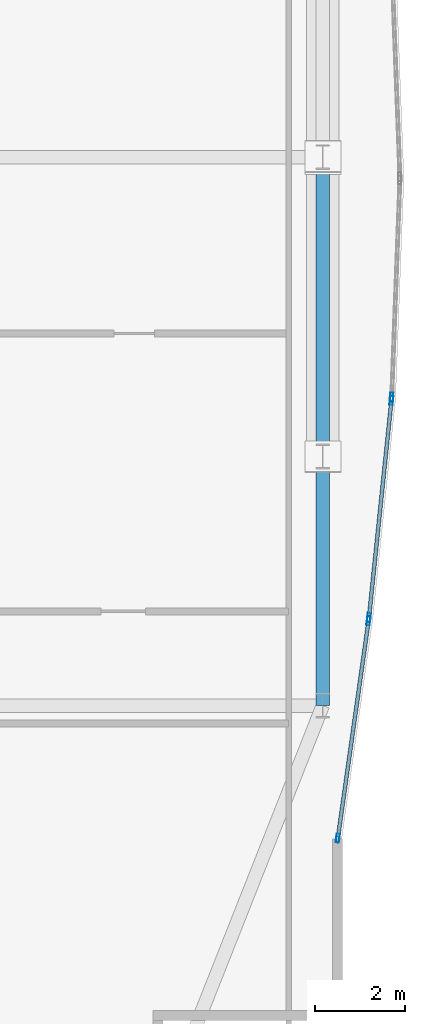
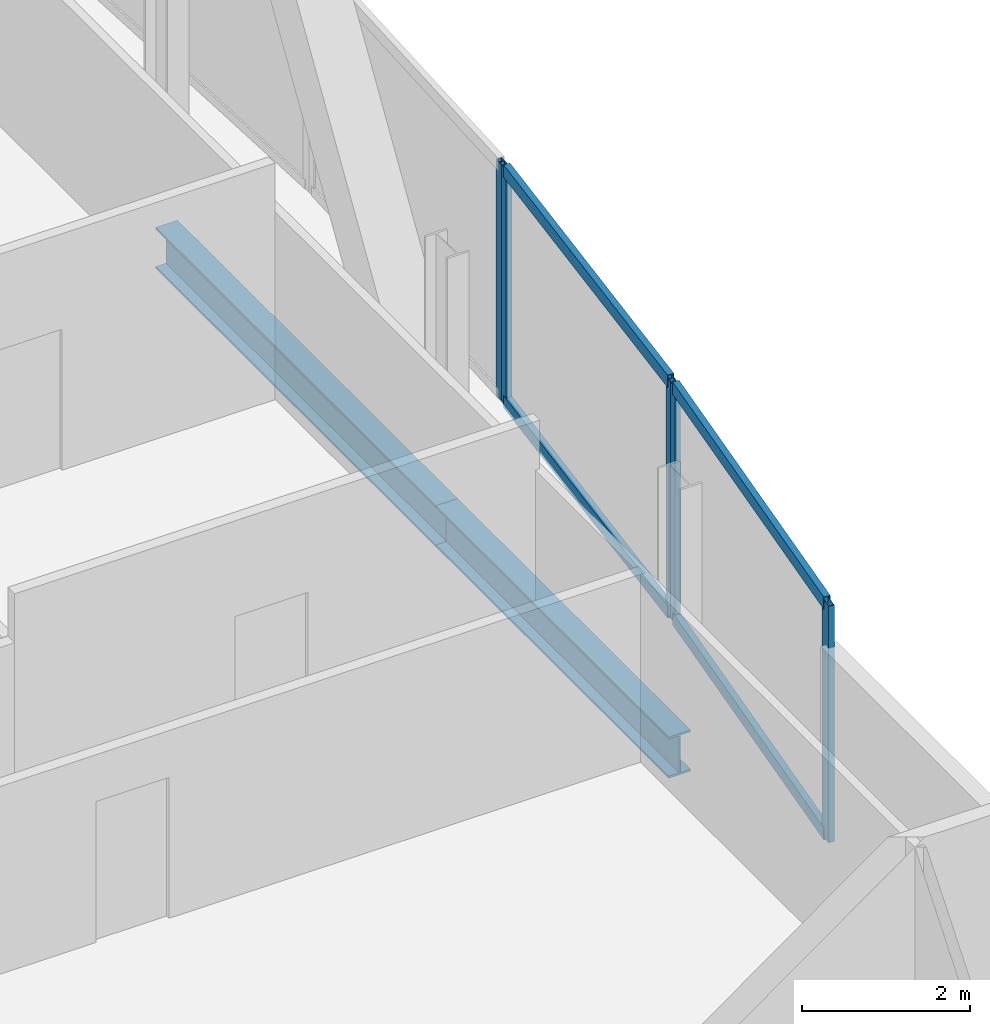
# One storey, part 21 of 30: 9 members, 2 beams, 3 elements without a shape of their own.
"""IFC4 building model written with IfcOpenShell, lengths in metres."""

from ifc_helpers import new_model, si_unit, direction, frame, origin, origin_2d, place, context, subcontext, project, spatial, hollow_rectangle, i_section, extrude, material, material_profile, profile_set, type_object, element, aggregate, save


model = new_model("IFC4")

# Units and contexts
model_context = context("Model", 3, precision=1e-05, world=origin(), true_north=direction((0.0, 1.0)))
body_context = subcontext(model_context, "Body", "Model", "MODEL_VIEW")
ifc_project = project(units=[si_unit("LENGTHUNIT", "METRE"), si_unit("AREAUNIT", "SQUARE_METRE"), si_unit("VOLUMEUNIT", "CUBIC_METRE"), si_unit("PLANEANGLEUNIT", "RADIAN"), si_unit("MASSUNIT", "GRAM", prefix="KILO")], contexts=[model_context])

# Site, building, storey
site_placement = place(None, origin())
site = spatial("IfcSite", under=ifc_project, at=site_placement, CompositionType="ELEMENT")
building_placement = place(site_placement, origin())
building = spatial("IfcBuilding", under=site, at=building_placement, Name="Khoronbel Lancet Exchange", CompositionType="ELEMENT")
storey_placement = place(building_placement, frame((0.0, 0.0, 147.0)))
storey = spatial("IfcBuildingStorey", under=building, at=storey_placement, Name="L36", CompositionType="ELEMENT", Elevation=147.0)

# Beams
ifc_material_1 = material(Name="Steel S355", Category="steel")
ifc_material_profile_1 = material_profile(ifc_material_1, i_section(OverallWidth=0.300048828125, OverallDepth=0.60009765625, WebThickness=0.015380859375, FlangeThickness=0.030029296875, at=origin_2d()), Name="HEB 600")
ifc_profile_set_1 = profile_set([ifc_material_profile_1], Name="Steel S355")
beam_type = type_object("IfcBeamType", Name="BM-BSP2", PredefinedType="SPANDREL", material=ifc_profile_set_1)
beam_1_placement = place(storey_placement, frame((67.6298828125, 19.199951171875, -0.4599609375), z_axis=(0.0, 1.0, 0.0), x_axis=(-1.0, 0.0, 0.0)))
element("IfcBeam", 1, at=beam_1_placement, inside=storey, type_object=beam_type, Name="Level L36 perimeter spandrel beam SP11", PredefinedType="SPANDREL", context=body_context, shape_type="SweptSolid", body=[
    extrude(i_section(OverallWidth=0.300048828125, OverallDepth=0.60009765625, WebThickness=0.015380859375, FlangeThickness=0.030029296875, at=origin_2d()), origin(), (0.0, 0.0, 1.0), 5.550048828125),
])
beam_2_placement = place(storey_placement, frame((67.6298828125, 24.75, -0.4599609375), z_axis=(0.0, 1.0, 0.0), x_axis=(-1.0, 0.0, 0.0)))
element("IfcBeam", 2, at=beam_2_placement, inside=storey, type_object=beam_type, Name="Level L36 perimeter spandrel beam SP12", PredefinedType="SPANDREL", context=body_context, shape_type="SweptSolid", body=[
    extrude(i_section(OverallWidth=0.300048828125, OverallDepth=0.60009765625, WebThickness=0.015380859375, FlangeThickness=0.030029296875, at=origin_2d()), origin(), (0.0, 0.0, 1.0), 6.675048828125),
])

# Curtain wall, member
ifc_material_2 = material(Name="Low-E Solar Control Insulating Glass", Category="glass")
curtain_wall_type = type_object("IfcCurtainWallType", Name="CW-4", PredefinedType="NOTDEFINED", material=ifc_material_2)
curtain_wall_1_placement = place(storey_placement, origin())
curtain_wall_1 = element("IfcCurtainWall", 3, at=curtain_wall_1_placement, inside=storey, type_object=curtain_wall_type, Name="Unitised curtain wall CW-L36-E20", PredefinedType="NOTDEFINED")
ifc_material_3 = material(Name="Bronze-Anodised Aluminium 6063-T6", Category="aluminium")
ifc_material_profile_2 = material_profile(ifc_material_3, hollow_rectangle(XDim=0.074951171875, YDim=0.199951171875, WallThickness=0.0048828125, at=origin_2d()), Name="ALU MULLION 75x200")
ifc_profile_set_2 = profile_set([ifc_material_profile_2], Name="Bronze-Anodised Aluminium 6063-T6")
member_type_1 = type_object("IfcMemberType", Name="MEM-CWM2", PredefinedType="MULLION", material=ifc_profile_set_2)
member_1_placement = place(storey_placement, frame((69.165283203125, 26.0771484375, 0.0), z_axis=(0.0, 0.0, 1.0), x_axis=(0.999284139325, -0.037831321592, 0.0)))
member_1 = element("IfcMember", 4, at=member_1_placement, type_object=member_type_1, Name="CW4 mullion 2", PredefinedType="MULLION", context=body_context, shape_type="SweptSolid", body=[
    extrude(hollow_rectangle(XDim=0.074951171875, YDim=0.199951171875, WallThickness=0.0048828125, at=origin_2d()), origin(), (0.0, 0.0, 1.0), 3.43994140625),
])
aggregate(curtain_wall_1, [member_1])

# Curtain wall, members
curtain_wall_2_placement = place(storey_placement, origin())
curtain_wall_2 = element("IfcCurtainWall", 5, at=curtain_wall_2_placement, inside=storey, type_object=curtain_wall_type, Name="Unitised curtain wall CW-L36-E21", PredefinedType="NOTDEFINED")
member_2_placement = place(storey_placement, frame((69.16015625, 26.002197265625, 0.0), z_axis=(0.0, 0.0, 1.0), x_axis=(0.994688434151, -0.10293162277, 0.0)))
member_2 = element("IfcMember", 6, at=member_2_placement, type_object=member_type_1, Name="CW4 mullion 1", PredefinedType="MULLION", context=body_context, shape_type="SweptSolid", body=[
    extrude(hollow_rectangle(XDim=0.074951171875, YDim=0.199951171875, WallThickness=0.0048828125, at=origin_2d()), origin(), (0.0, 0.0, 1.0), 3.43994140625),
])
member_3_placement = place(storey_placement, frame((68.659423828125, 21.164794921875, 0.0), z_axis=(0.0, 0.0, 1.0), x_axis=(0.994688434151, -0.10293162277, 0.0)))
member_3 = element("IfcMember", 7, at=member_3_placement, type_object=member_type_1, Name="CW4 mullion 2", PredefinedType="MULLION", context=body_context, shape_type="SweptSolid", body=[
    extrude(hollow_rectangle(XDim=0.074951171875, YDim=0.199951171875, WallThickness=0.0048828125, at=origin_2d()), origin(), (0.0, 0.0, 1.0), 3.43994140625),
])

curtain_wall_3_placement = place(storey_placement, origin())
curtain_wall_3 = element("IfcCurtainWall", 8, at=curtain_wall_3_placement, inside=storey, type_object=curtain_wall_type, Name="Unitised curtain wall CW-L36-E22", PredefinedType="NOTDEFINED")
member_4_placement = place(storey_placement, frame((68.650390625, 21.090576171875, 0.0), z_axis=(0.0, 0.0, 1.0), x_axis=(0.990158054699, -0.139953659169, 0.0)))
member_4 = element("IfcMember", 9, at=member_4_placement, type_object=member_type_1, Name="CW4 mullion 1", PredefinedType="MULLION", context=body_context, shape_type="SweptSolid", body=[
    extrude(hollow_rectangle(XDim=0.074951171875, YDim=0.199951171875, WallThickness=0.0048828125, at=origin_2d()), origin(), (0.0, 0.0, 1.0), 3.43994140625),
])
member_5_placement = place(storey_placement, frame((67.96533203125, 16.243408203125, 0.0), z_axis=(0.0, 0.0, 1.0), x_axis=(0.990158054699, -0.139953659169, 0.0)))
member_5 = element("IfcMember", 10, at=member_5_placement, type_object=member_type_1, Name="CW4 mullion 2", PredefinedType="MULLION", context=body_context, shape_type="SweptSolid", body=[
    extrude(hollow_rectangle(XDim=0.074951171875, YDim=0.199951171875, WallThickness=0.0048828125, at=origin_2d()), origin(), (0.0, 0.0, 1.0), 3.43994140625),
])

# Member
ifc_material_profile_3 = material_profile(ifc_material_3, hollow_rectangle(XDim=0.0849609375, YDim=0.179931640625, WallThickness=0.0048828125, at=origin_2d()), Name="ALU TRANSOM 85x180")
ifc_profile_set_3 = profile_set([ifc_material_profile_3], Name="Bronze-Anodised Aluminium 6063-T6")
member_type_2 = type_object("IfcMemberType", Name="MEM-CWT1", PredefinedType="USERDEFINED", material=ifc_profile_set_3)
member_6_placement = place(storey_placement, frame((69.15625, 25.965087890625, 0.04248046875), z_axis=(-0.102940899599, -0.994687474129, 0.0), x_axis=(0.994687474129, -0.102940899599, 0.0)))
member_6 = element("IfcMember", 11, at=member_6_placement, type_object=member_type_2, Name="CW4 transom 1.1", ObjectType="TRANSOM", PredefinedType="USERDEFINED", context=body_context, shape_type="SweptSolid", body=[
    extrude(hollow_rectangle(XDim=0.0849609375, YDim=0.179931640625, WallThickness=0.0048828125, at=origin_2d()), origin(), (0.0, 0.0, 1.0), 4.788330078125),
])

member_7_placement = place(storey_placement, frame((69.15625, 25.965087890625, 3.3974609375), z_axis=(-0.102940899599, -0.994687474129, 0.0), x_axis=(0.994687474129, -0.102940899599, 0.0)))
member_7 = element("IfcMember", 12, at=member_7_placement, type_object=member_type_2, Name="CW4 transom 1.2", ObjectType="TRANSOM", PredefinedType="USERDEFINED", context=body_context, shape_type="SweptSolid", body=[
    extrude(hollow_rectangle(XDim=0.0849609375, YDim=0.179931640625, WallThickness=0.0048828125, at=origin_2d()), origin(), (0.0, 0.0, 1.0), 4.788330078125),
])

aggregate(curtain_wall_2, [member_2, member_3, member_6, member_7])

member_8_placement = place(storey_placement, frame((68.64501953125, 21.05322265625, 0.04248046875), z_axis=(-0.139946267922, -0.990159099385, 0.0), x_axis=(0.990159099385, -0.139946267922, 0.0)))
member_8 = element("IfcMember", 13, at=member_8_placement, type_object=member_type_2, Name="CW4 transom 1.1", ObjectType="TRANSOM", PredefinedType="USERDEFINED", context=body_context, shape_type="SweptSolid", body=[
    extrude(hollow_rectangle(XDim=0.0849609375, YDim=0.179931640625, WallThickness=0.0048828125, at=origin_2d()), origin(), (0.0, 0.0, 1.0), 4.820068359375),
])

member_9_placement = place(storey_placement, frame((68.64501953125, 21.05322265625, 3.3974609375), z_axis=(-0.139946267922, -0.990159099385, 0.0), x_axis=(0.990159099385, -0.139946267922, 0.0)))
member_9 = element("IfcMember", 14, at=member_9_placement, type_object=member_type_2, Name="CW4 transom 1.2", ObjectType="TRANSOM", PredefinedType="USERDEFINED", context=body_context, shape_type="SweptSolid", body=[
    extrude(hollow_rectangle(XDim=0.0849609375, YDim=0.179931640625, WallThickness=0.0048828125, at=origin_2d()), origin(), (0.0, 0.0, 1.0), 4.820068359375),
])

aggregate(curtain_wall_3, [member_4, member_5, member_8, member_9])

save(model, "model.ifc")
